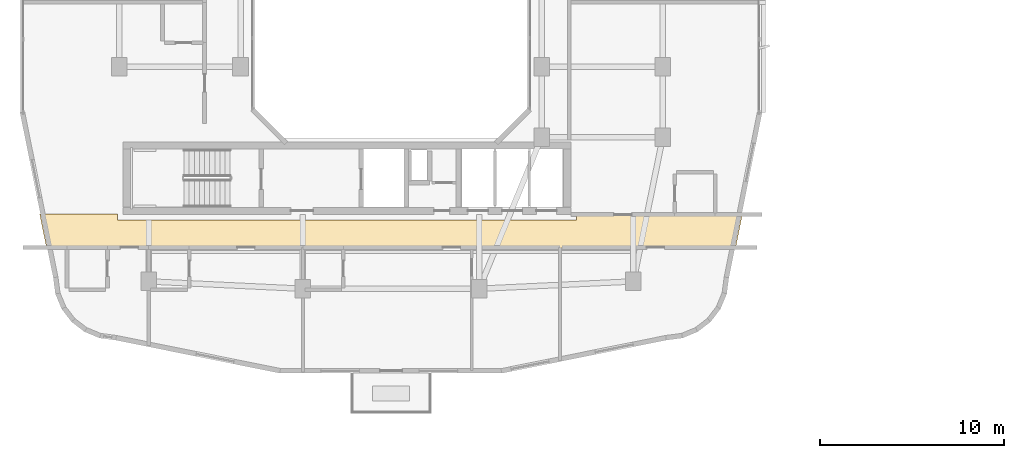
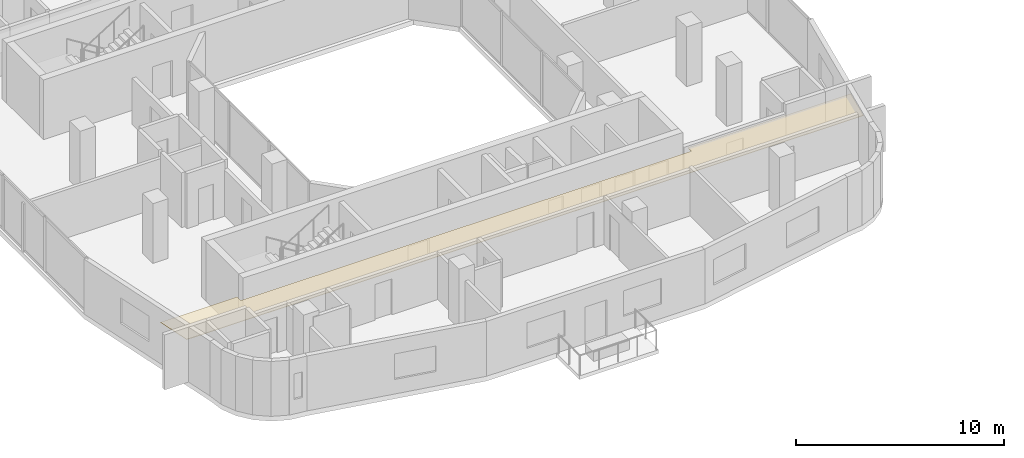
# One storey, part 11 of 13: 1 covering.
"""IFC4 building model written with IfcOpenShell, lengths in metres."""

from ifc_helpers import new_model, si_unit, derived_unit, direction, frame, origin, place, context, subcontext, project, spatial, polyline, outline, extrude, material, layer, layer_set, type_object, element, save


model = new_model("IFC4")

# Units and contexts
model_context = context("Model", 3, precision=1e-05, world=origin(), true_north=direction((0.0, 1.0)))
body_context = subcontext(model_context, "Body", "Model", "MODEL_VIEW")
ifc_project = project(units=[si_unit("LENGTHUNIT", "METRE"), si_unit("AREAUNIT", "SQUARE_METRE"), si_unit("VOLUMEUNIT", "CUBIC_METRE"), si_unit("PLANEANGLEUNIT", "RADIAN"), si_unit("MASSUNIT", "GRAM", prefix="KILO"), derived_unit("THERMALTRANSMITTANCEUNIT", [(si_unit("POWERUNIT", "WATT"), 1), (si_unit("LENGTHUNIT", "METRE"), -2), (si_unit("THERMODYNAMICTEMPERATUREUNIT", "KELVIN"), -1)])], contexts=[model_context])

# Site, building, storey
site_placement = place(None, origin())
site = spatial("IfcSite", under=ifc_project, at=site_placement, CompositionType="ELEMENT")
building_placement = place(site_placement, origin())
building = spatial("IfcBuilding", under=site, at=building_placement, Name="Kivonza Crest Hotel", CompositionType="ELEMENT")
storey_placement = place(building_placement, frame((0.0, 0.0, 134.5)))
storey = spatial("IfcBuildingStorey", under=building, at=storey_placement, Name="L36", CompositionType="ELEMENT", Elevation=134.5)

# Covering
ifc_material = material(Name="Moisture-resistant gypsum plasterboard ceiling", Category="gypsum")
ifc_layer = layer(ifc_material, 0.030029296875)
ifc_layer_set = layer_set([ifc_layer], Name="Moisture-resistant gypsum plasterboard ceiling")
covering_type = type_object("IfcCoveringType", Name="CV-CEIL-GYP", PredefinedType="CEILING", material=ifc_layer_set)
covering_placement = place(storey_placement, frame((0.0, 0.0, 2.449951171875)))
element("IfcCovering", 1, at=covering_placement, inside=storey, type_object=covering_type, Name="L36 Hotel South Guest Corridor suspended ceiling", PredefinedType="CEILING", context=body_context, shape_type="SweptSolid", body=[
    extrude(outline(polyline([(1.85791015625, 13.47998046875), (2.235107421875, 11.610107421875), (39.764892578125, 11.610107421875), (40.14208984375, 13.47998046875), (31.10009765625, 13.47998046875), (31.10009765625, 13.139892578125), (6.10009765625, 13.139892578125), (6.10009765625, 13.47998046875), (1.85791015625, 13.47998046875)])), origin(), (0.0, 0.0, 1.0), 0.030029296875),
])

save(model, "model.ifc")
